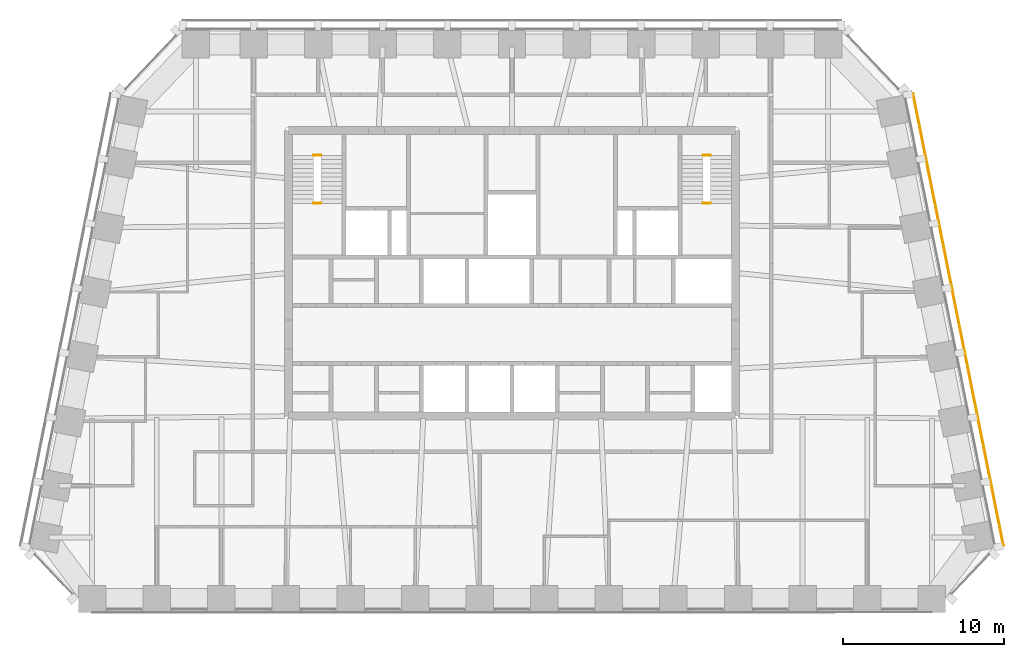
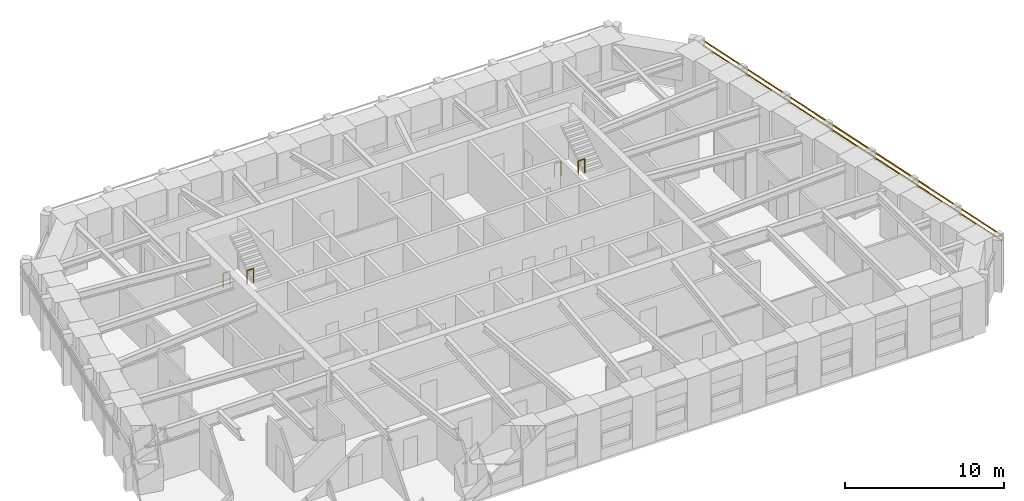
# One storey, part 10 of 11: 4 railings, 2 shading devices.
"""IFC4 building model written with IfcOpenShell, lengths in metres."""

from ifc_helpers import new_model, si_unit, direction, frame, origin, origin_2d, place, context, subcontext, project, spatial, rectangle, circle, extrude, material, material_profile, profile_set, type_object, element, save


model = new_model("IFC4")

# Units and contexts
model_context = context("Model", 3, precision=1e-05, world=origin(), true_north=direction((0.0, 1.0)))
body_context = subcontext(model_context, "Body", "Model", "MODEL_VIEW")
ifc_project = project(units=[si_unit("LENGTHUNIT", "METRE"), si_unit("AREAUNIT", "SQUARE_METRE"), si_unit("VOLUMEUNIT", "CUBIC_METRE"), si_unit("PLANEANGLEUNIT", "RADIAN"), si_unit("MASSUNIT", "GRAM", prefix="KILO")], contexts=[model_context])

# Site, building, storey
site_placement = place(None, origin())
site = spatial("IfcSite", under=ifc_project, at=site_placement, CompositionType="ELEMENT")
building_placement = place(site_placement, origin())
building = spatial("IfcBuilding", under=site, at=building_placement, Name="Isbrekke Arena Tower", CompositionType="ELEMENT")
storey_placement = place(building_placement, frame((0.0, 0.0, 288.0)))
storey = spatial("IfcBuildingStorey", under=building, at=storey_placement, Name="L67", CompositionType="ELEMENT", Elevation=288.0)

# Shading devices
ifc_material_1 = material(Name="Terracotta", Category="masonry")
ifc_material_profile = material_profile(ifc_material_1, rectangle(XDim=0.06005859375, YDim=0.06005859375, at=origin_2d()), Name="BAGUETTE 60X60")
ifc_profile_set = profile_set([ifc_material_profile], Name="Terracotta")
shading_device_type = type_object("IfcShadingDeviceType", Name="BG1 TERRACOTTA BAGUETTE 60 x 60", PredefinedType="USERDEFINED", material=ifc_profile_set)
for number, where, z_axis, x_axis, name in (
    (1, (30.4423828125, -1.87158203125, 3.280029296875), (-0.196119423591, 0.980580017995, 0.0), (-0.980580017995, -0.196119423591, 0.0), "BG1 terracotta baguette E1 L67"),
    (2, (30.4423828125, -1.87158203125, 3.679931640625), (-0.196119423591, 0.980580017995, 0.0), (-0.980580017995, -0.196119423591, 0.0), "BG1 terracotta baguette E2 L67"),
):
    element("IfcShadingDevice", number, at=place(storey_placement, frame(where, z_axis=z_axis, x_axis=x_axis)), inside=storey, type_object=shading_device_type, Name=name, ObjectType="TERRACOTTA BAGUETTE", PredefinedType="USERDEFINED", context=body_context, shape_type="SweptSolid", body=[
        extrude(rectangle(XDim=0.06005859375, YDim=0.06005859375, at=origin_2d()), origin(), (0.0, 0.0, 1.0), 28.554443359375),
    ])

# Railings
ifc_material_2 = material(Name="Steel stair guard, vertical bars, steel handrail", Category="steel")
railing_type = type_object("IfcRailingType", Name="GR3 STAIR WELL GUARD 1100", PredefinedType="GUARDRAIL", material=ifc_material_2)
for number, where, name in (
    (3, (-12.300048828125, 22.300048828125, 0.0), "GR3 stair well guard ST1 L67"),
    (4, (-12.300048828125, 19.330078125, 2.0), "GR3 stair well guard ST1 L67"),
    (5, (11.824951171875, 22.300048828125, 0.0), "GR3 stair well guard ST2 L67"),
    (6, (11.824951171875, 19.330078125, 2.0), "GR3 stair well guard ST2 L67"),
):
    element("IfcRailing", number, at=place(storey_placement, frame(where)), inside=storey, type_object=railing_type, Name=name, PredefinedType="GUARDRAIL", context=body_context, shape_type="SweptSolid", body=[
        extrude(circle(Radius=0.02392578125, at=origin_2d()), frame((0.0, 0.0, 1.076171875), z_axis=(1.0, 0.0, 0.0), x_axis=(0.0, 1.0, 0.0)), (0.0, 0.0, 1.0), 0.47509765625),
        extrude(circle(Radius=0.02099609375, at=origin_2d()), origin(), (0.0, 0.0, 1.0), 1.052001953125),
        extrude(circle(Radius=0.02099609375, at=origin_2d()), frame((0.47509765625, 0.0, 0.0)), (0.0, 0.0, 1.0), 1.052001953125),
    ])

save(model, "model.ifc")
